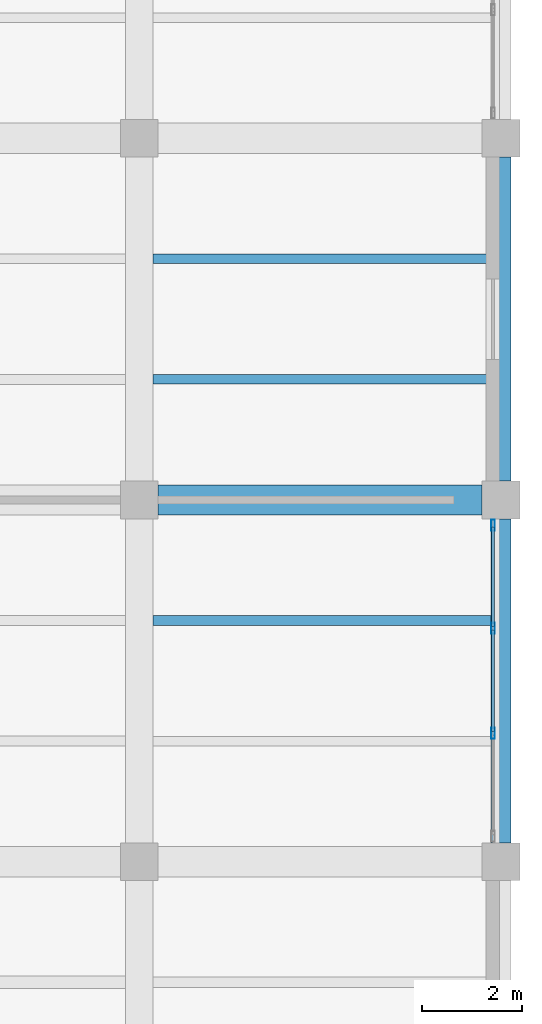
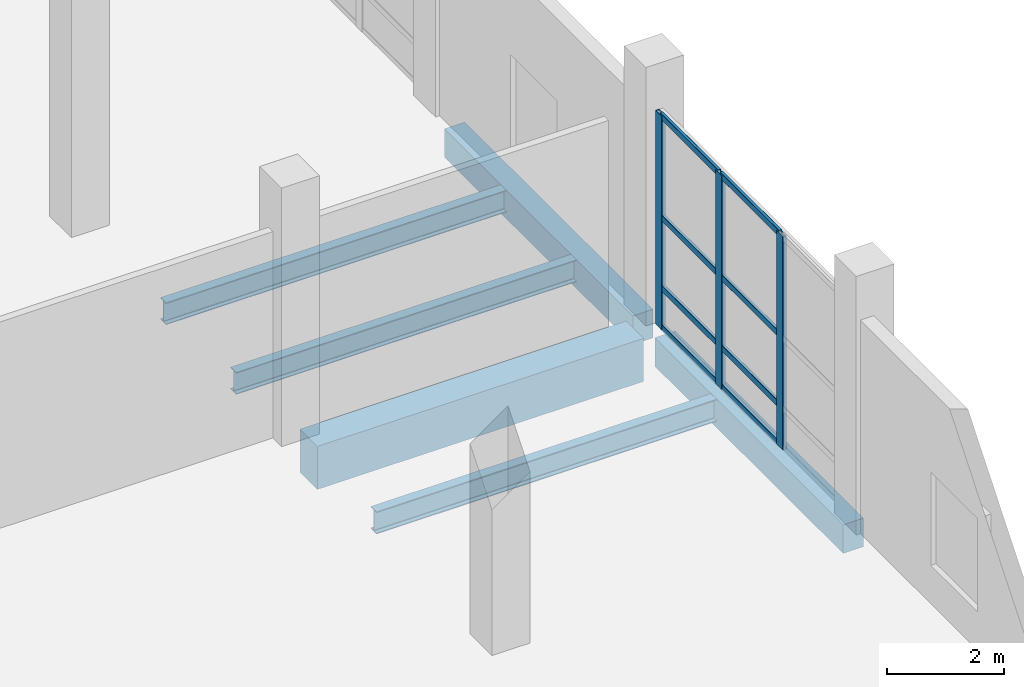
# One storey, part 74 of 137: 11 members, 6 beams, 1 element without a shape of its own.
"""IFC4 building model written with IfcOpenShell, lengths in metres."""

from ifc_helpers import new_model, si_unit, direction, frame, origin, origin_2d, place, context, subcontext, project, spatial, rectangle, hollow_rectangle, i_section, extrude, material, material_profile, profile_set, type_object, element, aggregate, save


model = new_model("IFC4")

# Units and contexts
model_context = context("Model", 3, precision=1e-05, world=origin(), true_north=direction((0.0, 1.0)))
body_context = subcontext(model_context, "Body", "Model", "MODEL_VIEW")
ifc_project = project(units=[si_unit("LENGTHUNIT", "METRE"), si_unit("AREAUNIT", "SQUARE_METRE"), si_unit("VOLUMEUNIT", "CUBIC_METRE"), si_unit("PLANEANGLEUNIT", "RADIAN"), si_unit("MASSUNIT", "GRAM", prefix="KILO")], contexts=[model_context])

# Site, building, storey
site_placement = place(None, origin())
site = spatial("IfcSite", under=ifc_project, at=site_placement, CompositionType="ELEMENT")
building_placement = place(site_placement, origin())
building = spatial("IfcBuilding", under=site, at=building_placement, Name="Kalmorath City Hall", CompositionType="ELEMENT")
storey_placement = place(building_placement, origin())
storey = spatial("IfcBuildingStorey", under=building, at=storey_placement, Name="L00", CompositionType="ELEMENT", Elevation=0.0)

# Beams
ifc_material_1 = material(Name="Concrete C40/50", Category="concrete")
ifc_material_profile_1 = material_profile(ifc_material_1, rectangle(XDim=0.39990234375, YDim=0.60009765625, at=origin_2d()), Name="RC-BM-400X600")
ifc_profile_set_1 = profile_set([ifc_material_profile_1], Name="Concrete C40/50")
beam_type_1 = type_object("IfcBeamType", Name="Concrete edge beam 400x600", PredefinedType="SPANDREL", material=ifc_profile_set_1)
beam_1_placement = place(storey_placement, frame((165.60009765625, 50.77490234375, -0.60400390625), z_axis=(0.0, 1.0, 0.0), x_axis=(-1.0, 0.0, 0.0)))
element("IfcBeam", 1, at=beam_1_placement, inside=storey, type_object=beam_type_1, Name="L00 girder CB6 Y24/8-9", PredefinedType="SPANDREL", context=body_context, shape_type="SweptSolid", body=[
    extrude(rectangle(XDim=0.39990234375, YDim=0.60009765625, at=origin_2d()), origin(), (0.0, 0.0, 1.0), 6.4501953125),
])
beam_2_placement = place(storey_placement, frame((165.60009765625, 57.97509765625, -0.60400390625), z_axis=(0.0, 1.0, 0.0), x_axis=(-1.0, 0.0, 0.0)))
element("IfcBeam", 2, at=beam_2_placement, inside=storey, type_object=beam_type_1, Name="L00 girder CB6 Y24/9-10", PredefinedType="SPANDREL", context=body_context, shape_type="SweptSolid", body=[
    extrude(rectangle(XDim=0.39990234375, YDim=0.60009765625, at=origin_2d()), origin(), (0.0, 0.0, 1.0), 6.449951171875),
])
ifc_material_2 = material(Name="Concrete C40/50", Category="concrete")
ifc_material_profile_2 = material_profile(ifc_material_2, rectangle(XDim=0.60009765625, YDim=0.89990234375, at=origin_2d()), Name="RC-BM-600X900")
ifc_profile_set_2 = profile_set([ifc_material_profile_2], Name="Concrete C40/50")
beam_type_2 = type_object("IfcBeamType", Name="Concrete floor girder 600x900", PredefinedType="BEAM", material=ifc_profile_set_2)
beam_3_placement = place(storey_placement, frame((158.77490234375, 57.60009765625, -0.75390625), z_axis=(1.0, 0.0, 0.0), x_axis=(0.0, 1.0, 0.0)))
element("IfcBeam", 3, at=beam_3_placement, inside=storey, type_object=beam_type_2, Name="L00 girder CB1 X23-24/9", PredefinedType="BEAM", context=body_context, shape_type="SweptSolid", body=[
    extrude(rectangle(XDim=0.60009765625, YDim=0.89990234375, at=origin_2d()), origin(), (0.0, 0.0, 1.0), 6.4501953125),
])

# Curtain wall, members
ifc_material_3 = material(Name="Anodised aluminium and laminated glass", Category="aluminium")
curtain_wall_type = type_object("IfcCurtainWallType", Name="Unitised hurricane curtain wall 6270x4461 M1850", PredefinedType="NOTDEFINED", material=ifc_material_3)
curtain_wall_placement = place(storey_placement, origin())
curtain_wall = element("IfcCurtainWall", 4, at=curtain_wall_placement, inside=storey, type_object=curtain_wall_type, Name="L00 curtain wall CW-63X45M18 #8", PredefinedType="NOTDEFINED")
ifc_material_4 = material(Name="Anodised aluminium framing", Category="aluminium")
ifc_material_profile_3 = material_profile(ifc_material_4, hollow_rectangle(XDim=0.06005859375, YDim=0.1298828125, WallThickness=0.00341796875, InnerFilletRadius=0.00341796875, OuterFilletRadius=0.007080078125, at=origin_2d()), Name="ALU-TRN-130X60X3.5")
ifc_profile_set_3 = profile_set([ifc_material_profile_3], Name="Anodised aluminium framing")
member_type_1 = type_object("IfcMemberType", Name="Curtain-wall courtyard transom 130x60", PredefinedType="USERDEFINED", material=ifc_profile_set_3)
member_1_placement = place(storey_placement, frame((165.43994140625, 57.06005859375, 0.030029296875), z_axis=(0.0, -1.0, 0.0), x_axis=(1.0, 0.0, 0.0)))
member_1 = element("IfcMember", 5, at=member_1_placement, type_object=member_type_1, Name="CW-63X45M18 transom 1.1", ObjectType="TRANSOM", PredefinedType="USERDEFINED", context=body_context, shape_type="SweptSolid", body=[
    extrude(hollow_rectangle(XDim=0.06005859375, YDim=0.1298828125, WallThickness=0.00341796875, InnerFilletRadius=0.00341796875, OuterFilletRadius=0.007080078125, at=origin_2d()), origin(), (0.0, 0.0, 1.0), 1.9775390625),
])
member_2_placement = place(storey_placement, frame((165.43994140625, 57.06005859375, 0.85009765625), z_axis=(0.0, -1.0, 0.0), x_axis=(1.0, 0.0, 0.0)))
member_2 = element("IfcMember", 6, at=member_2_placement, type_object=member_type_1, Name="CW-63X45M18 transom 1.2", ObjectType="TRANSOM", PredefinedType="USERDEFINED", context=body_context, shape_type="SweptSolid", body=[
    extrude(hollow_rectangle(XDim=0.06005859375, YDim=0.1298828125, WallThickness=0.00341796875, InnerFilletRadius=0.00341796875, OuterFilletRadius=0.007080078125, at=origin_2d()), origin(), (0.0, 0.0, 1.0), 1.9775390625),
])
member_3_placement = place(storey_placement, frame((165.43994140625, 57.06005859375, 2.320068359375), z_axis=(0.0, -1.0, 0.0), x_axis=(1.0, 0.0, 0.0)))
member_3 = element("IfcMember", 7, at=member_3_placement, type_object=member_type_1, Name="CW-63X45M18 transom 1.3", ObjectType="TRANSOM", PredefinedType="USERDEFINED", context=body_context, shape_type="SweptSolid", body=[
    extrude(hollow_rectangle(XDim=0.06005859375, YDim=0.1298828125, WallThickness=0.00341796875, InnerFilletRadius=0.00341796875, OuterFilletRadius=0.007080078125, at=origin_2d()), origin(), (0.0, 0.0, 1.0), 1.9775390625),
])
member_4_placement = place(storey_placement, frame((165.43994140625, 57.06005859375, 4.430908203125), z_axis=(0.0, -1.0, 0.0), x_axis=(1.0, 0.0, 0.0)))
member_4 = element("IfcMember", 8, at=member_4_placement, type_object=member_type_1, Name="CW-63X45M18 transom 1.4", ObjectType="TRANSOM", PredefinedType="USERDEFINED", context=body_context, shape_type="SweptSolid", body=[
    extrude(hollow_rectangle(XDim=0.06005859375, YDim=0.1298828125, WallThickness=0.00341796875, InnerFilletRadius=0.00341796875, OuterFilletRadius=0.007080078125, at=origin_2d()), origin(), (0.0, 0.0, 1.0), 1.9775390625),
])
member_5_placement = place(storey_placement, frame((165.43994140625, 55.007568359375, 0.030029296875), z_axis=(0.0, -1.0, 0.0), x_axis=(1.0, 0.0, 0.0)))
member_5 = element("IfcMember", 9, at=member_5_placement, type_object=member_type_1, Name="CW-63X45M18 transom 2.1", ObjectType="TRANSOM", PredefinedType="USERDEFINED", context=body_context, shape_type="SweptSolid", body=[
    extrude(hollow_rectangle(XDim=0.06005859375, YDim=0.1298828125, WallThickness=0.00341796875, InnerFilletRadius=0.00341796875, OuterFilletRadius=0.007080078125, at=origin_2d()), origin(), (0.0, 0.0, 1.0), 2.01513671875),
])
member_6_placement = place(storey_placement, frame((165.43994140625, 55.007568359375, 0.85009765625), z_axis=(0.0, -1.0, 0.0), x_axis=(1.0, 0.0, 0.0)))
member_6 = element("IfcMember", 10, at=member_6_placement, type_object=member_type_1, Name="CW-63X45M18 transom 2.2", ObjectType="TRANSOM", PredefinedType="USERDEFINED", context=body_context, shape_type="SweptSolid", body=[
    extrude(hollow_rectangle(XDim=0.06005859375, YDim=0.1298828125, WallThickness=0.00341796875, InnerFilletRadius=0.00341796875, OuterFilletRadius=0.007080078125, at=origin_2d()), origin(), (0.0, 0.0, 1.0), 2.01513671875),
])
member_7_placement = place(storey_placement, frame((165.43994140625, 55.007568359375, 2.320068359375), z_axis=(0.0, -1.0, 0.0), x_axis=(1.0, 0.0, 0.0)))
member_7 = element("IfcMember", 11, at=member_7_placement, type_object=member_type_1, Name="CW-63X45M18 transom 2.3", ObjectType="TRANSOM", PredefinedType="USERDEFINED", context=body_context, shape_type="SweptSolid", body=[
    extrude(hollow_rectangle(XDim=0.06005859375, YDim=0.1298828125, WallThickness=0.00341796875, InnerFilletRadius=0.00341796875, OuterFilletRadius=0.007080078125, at=origin_2d()), origin(), (0.0, 0.0, 1.0), 2.01513671875),
])
member_8_placement = place(storey_placement, frame((165.43994140625, 55.007568359375, 4.430908203125), z_axis=(0.0, -1.0, 0.0), x_axis=(1.0, 0.0, 0.0)))
member_8 = element("IfcMember", 12, at=member_8_placement, type_object=member_type_1, Name="CW-63X45M18 transom 2.4", ObjectType="TRANSOM", PredefinedType="USERDEFINED", context=body_context, shape_type="SweptSolid", body=[
    extrude(hollow_rectangle(XDim=0.06005859375, YDim=0.1298828125, WallThickness=0.00341796875, InnerFilletRadius=0.00341796875, OuterFilletRadius=0.007080078125, at=origin_2d()), origin(), (0.0, 0.0, 1.0), 2.01513671875),
])
ifc_material_5 = material(Name="Anodised aluminium framing", Category="aluminium")
ifc_material_profile_4 = material_profile(ifc_material_5, hollow_rectangle(XDim=0.074951171875, YDim=0.219970703125, WallThickness=0.00390625, InnerFilletRadius=0.00390625, OuterFilletRadius=0.008056640625, at=origin_2d()), Name="ALU-MUL-220X75X4")
ifc_profile_set_4 = profile_set([ifc_material_profile_4], Name="Anodised aluminium framing")
member_type_2 = type_object("IfcMemberType", Name="Curtain-wall primary mullion 220x75", PredefinedType="MULLION", material=ifc_profile_set_4)
member_9_placement = place(storey_placement, frame((165.43994140625, 57.097412109375, 0.0), z_axis=(0.0, 0.0, 1.0), x_axis=(1.0, 0.0, 0.0)))
member_9 = element("IfcMember", 13, at=member_9_placement, type_object=member_type_2, Name="CW-63X45M18 mullion 1", PredefinedType="MULLION", context=body_context, shape_type="SweptSolid", body=[
    extrude(hollow_rectangle(XDim=0.074951171875, YDim=0.219970703125, WallThickness=0.00390625, InnerFilletRadius=0.00390625, OuterFilletRadius=0.008056640625, at=origin_2d()), origin(), (0.0, 0.0, 1.0), 4.4609375),
])
member_10_placement = place(storey_placement, frame((165.43994140625, 55.044921875, 0.0), z_axis=(0.0, 0.0, 1.0), x_axis=(1.0, 0.0, 0.0)))
member_10 = element("IfcMember", 14, at=member_10_placement, type_object=member_type_2, Name="CW-63X45M18 mullion 2", PredefinedType="MULLION", context=body_context, shape_type="SweptSolid", body=[
    extrude(hollow_rectangle(XDim=0.074951171875, YDim=0.219970703125, WallThickness=0.00390625, InnerFilletRadius=0.00390625, OuterFilletRadius=0.008056640625, at=origin_2d()), origin(), (0.0, 0.0, 1.0), 4.4609375),
])
member_11_placement = place(storey_placement, frame((165.43994140625, 52.955078125, 0.0), z_axis=(0.0, 0.0, 1.0), x_axis=(1.0, 0.0, 0.0)))
member_11 = element("IfcMember", 15, at=member_11_placement, type_object=member_type_2, Name="CW-63X45M18 mullion 3", PredefinedType="MULLION", context=body_context, shape_type="SweptSolid", body=[
    extrude(hollow_rectangle(XDim=0.074951171875, YDim=0.219970703125, WallThickness=0.00390625, InnerFilletRadius=0.00390625, OuterFilletRadius=0.008056640625, at=origin_2d()), origin(), (0.0, 0.0, 1.0), 4.4609375),
])
aggregate(curtain_wall, [member_9, member_10, member_11, member_1, member_2, member_3, member_4, member_5, member_6, member_7, member_8])

# Beams
ifc_material_6 = material(Name="Steel ASTM A992 Grade 50", Category="steel")
ifc_material_profile_5 = material_profile(ifc_material_6, i_section(OverallWidth=0.19091796875, OverallDepth=0.4599609375, WebThickness=0.010009765625, FlangeThickness=0.01611328125, FilletRadius=0.013916015625, at=origin_2d()), Name="W18X55")
ifc_profile_set_5 = profile_set([ifc_material_profile_5], Name="Steel ASTM A992 Grade 50")
beam_type_3 = type_object("IfcBeamType", Name="Steel composite joist W18X55", PredefinedType="JOIST", material=ifc_profile_set_5)
for number, where, z_axis, x_axis, name in (
    (16, (158.675048828125, 60.0, -0.533935546875), (1.0, 0.0, 0.0), (0.0, 1.0, 0.0), "L00 joist SJ2 23.9.1"),
    (17, (158.675048828125, 62.39990234375, -0.533935546875), (1.0, 0.0, 0.0), (0.0, 1.0, 0.0), "L00 joist SJ2 23.9.2"),
):
    element("IfcBeam", number, at=place(storey_placement, frame(where, z_axis=z_axis, x_axis=x_axis)), inside=storey, type_object=beam_type_3, Name=name, PredefinedType="JOIST", context=body_context, shape_type="SweptSolid", body=[
        extrude(i_section(OverallWidth=0.19091796875, OverallDepth=0.4599609375, WebThickness=0.010009765625, FlangeThickness=0.01611328125, FilletRadius=0.013916015625, at=origin_2d()), origin(), (0.0, 0.0, 1.0), 6.724853515625),
    ])
ifc_material_7 = material(Name="Steel ASTM A992 Grade 50", Category="steel")
ifc_material_profile_6 = material_profile(ifc_material_7, i_section(OverallWidth=0.193115234375, OverallDepth=0.466064453125, WebThickness=0.011474609375, FlangeThickness=0.01904296875, FilletRadius=0.013916015625, at=origin_2d()), Name="W18X65")
ifc_profile_set_6 = profile_set([ifc_material_profile_6], Name="Steel ASTM A992 Grade 50")
beam_type_4 = type_object("IfcBeamType", Name="Steel composite joist W18X65", PredefinedType="JOIST", material=ifc_profile_set_6)
beam_4_placement = place(storey_placement, frame((158.675048828125, 55.199951171875, -0.537109375), z_axis=(1.0, 0.0, 0.0), x_axis=(0.0, 1.0, 0.0)))
element("IfcBeam", 18, at=beam_4_placement, inside=storey, type_object=beam_type_4, Name="L00 joist SJ1 23.8.2", PredefinedType="JOIST", context=body_context, shape_type="SweptSolid", body=[
    extrude(i_section(OverallWidth=0.193115234375, OverallDepth=0.466064453125, WebThickness=0.011474609375, FlangeThickness=0.01904296875, FilletRadius=0.013916015625, at=origin_2d()), origin(), (0.0, 0.0, 1.0), 6.724853515625),
])

save(model, "model.ifc")
